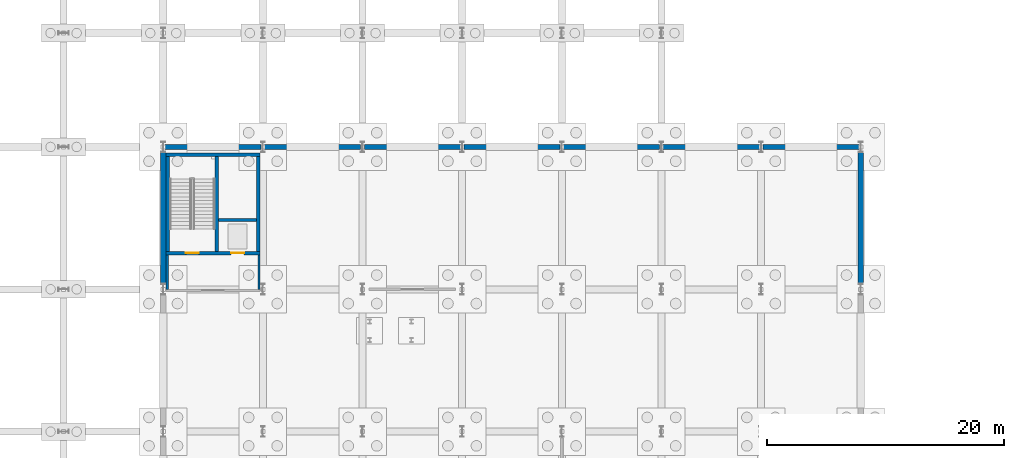
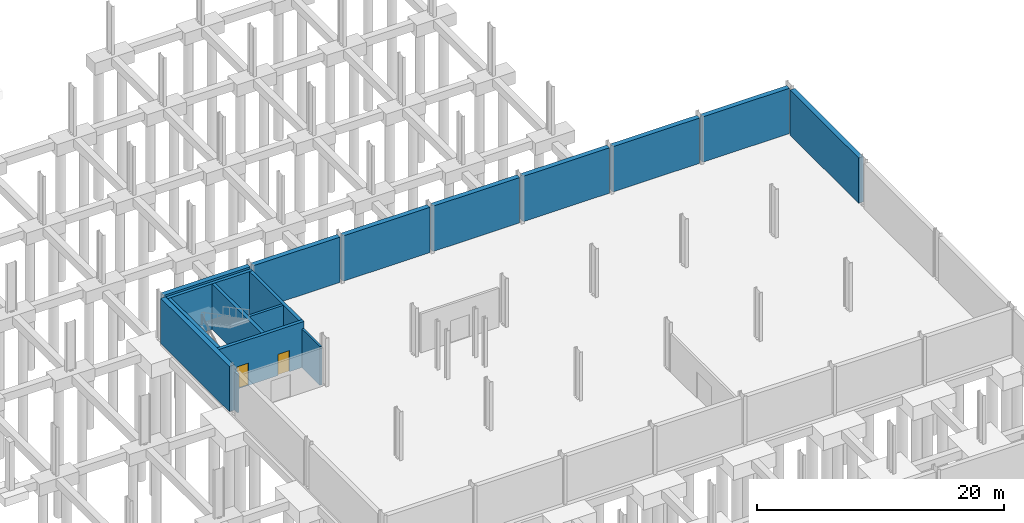
# One storey, part 22 of 29: 17 walls, 2 doors, 2 openings.
"""IFC4 building model written with IfcOpenShell, lengths in metres."""

from ifc_helpers import new_model, si_unit, direction, frame, frame_2d, origin, place, context, subcontext, project, spatial, rectangle, extrude, material, layer, layer_set, type_object, element, fill, save


model = new_model("IFC4")

# Units and contexts
model_context = context("Model", 3, precision=1e-05, world=origin(), true_north=direction((0.0, 1.0)))
body_context = subcontext(model_context, "Body", "Model", "MODEL_VIEW")
ifc_project = project(units=[si_unit("LENGTHUNIT", "METRE"), si_unit("AREAUNIT", "SQUARE_METRE"), si_unit("VOLUMEUNIT", "CUBIC_METRE"), si_unit("PLANEANGLEUNIT", "RADIAN"), si_unit("MASSUNIT", "GRAM", prefix="KILO")], contexts=[model_context])

# Site, building, storey
site_placement = place(None, origin())
site = spatial("IfcSite", under=ifc_project, at=site_placement, CompositionType="ELEMENT")
building_placement = place(site_placement, origin())
building = spatial("IfcBuilding", under=site, at=building_placement, Name="Veltarok Museum of Natural Sciences", CompositionType="ELEMENT")
storey_placement = place(building_placement, frame((0.0, 0.0, -4.800048828125)))
storey = spatial("IfcBuildingStorey", under=building, at=storey_placement, Name="B1", CompositionType="ELEMENT", Elevation=-4.800048828125)

# Walls
ifc_material_1 = material(Name="Concrete C35/45", Category="concrete")
ifc_layer_1 = layer(ifc_material_1, 0.199951171875)
ifc_layer_set_1 = layer_set([ifc_layer_1], Name="Concrete C35/45")
wall_type_1 = type_object("IfcWallType", Name="Firefighting Lobby Compartment Wall 200", PredefinedType="SOLIDWALL", material=ifc_layer_set_1)
for number, where, z_axis, x_axis, name in (
    (1, (40.330078125, 60.0, 0.0), (0.0, 0.0, 1.0), (0.0, 1.0, 0.0), "Firefighting Lobby Wall C3 B1 W"),
    (2, (48.070068359375, 62.89990234375, 0.0), (0.0, 0.0, 1.0), (0.0, -1.0, 0.0), "Firefighting Lobby Wall C3 B1 E"),
):
    element("IfcWall", number, at=place(storey_placement, frame(where, z_axis=z_axis, x_axis=x_axis)), inside=storey, type_object=wall_type_1, Name=name, PredefinedType="SOLIDWALL", context=body_context, shape_type="SweptSolid", body=[
        extrude(rectangle(XDim=2.89990234375, YDim=0.199951171875, at=frame_2d((1.449951171875, 0.0))), origin(), (0.0, 0.0, 1.0), 3.83203125),
    ])
ifc_material_2 = material(Name="Concrete C40/50", Category="concrete")
ifc_layer_2 = layer(ifc_material_2, 0.25)
ifc_layer_set_2 = layer_set([ifc_layer_2], Name="Concrete C40/50")
wall_type_2 = type_object("IfcWallType", Name="Lift Shaft Concrete Shear Wall 250", PredefinedType="SHEAR", material=ifc_layer_set_2)
wall_1_placement = place(storey_placement, frame((44.669921875, 65.824951171875, 0.0), z_axis=(0.0, 0.0, 1.0), x_axis=(1.0, 0.0, 0.0)))
element("IfcWall", 3, at=wall_1_placement, inside=storey, type_object=wall_type_2, Name="Lift Shaft Back Wall C3 B1", PredefinedType="SHEAR", context=body_context, shape_type="SweptSolid", body=[
    extrude(rectangle(XDim=3.2001953125, YDim=0.25, at=frame_2d((1.60009765625, 0.0))), origin(), (0.0, 0.0, 1.0), 4.5),
])

# Wall, openings, doors
ifc_layer_3 = layer(ifc_material_2, 0.300048828125)
ifc_layer_set_3 = layer_set([ifc_layer_3], Name="Concrete C40/50")
wall_type_3 = type_object("IfcWallType", Name="Protected Core Shear Wall 300", PredefinedType="SHEAR", material=ifc_layer_set_3)
wall_2_placement = place(storey_placement, frame((40.22998046875, 63.050048828125, 0.0), z_axis=(0.0, 0.0, 1.0), x_axis=(1.0, 0.0, 0.0)))
wall_2 = element("IfcWall", 4, at=wall_2_placement, inside=storey, type_object=wall_type_3, Name="Core Shear Wall C3 B1 S", PredefinedType="SHEAR", context=body_context, shape_type="SweptSolid", body=[
    extrude(rectangle(XDim=7.93994140625, YDim=0.300048828125, at=frame_2d((3.969970703125, 0.0))), origin(), (0.0, 0.0, 1.0), 4.5),
])
opening_1_placement = place(wall_2_placement, frame((1.669921875, 0.0, 0.0)))
opening_1 = element("IfcOpeningElement", 5, at=opening_1_placement, cuts=wall_2, Name="Opening D-B1-005", PredefinedType="OPENING", context=body_context, shape_type="SweptSolid", body=[
    extrude(rectangle(XDim=1.10009765625, YDim=2.199951171875, at=frame_2d((0.550048828125, 1.10009765625))), frame((0.0, 0.16015625, 0.0), z_axis=(0.0, -1.0, 0.0), x_axis=(1.0, 0.0, 0.0)), (0.0, 0.0, 1.0), 0.320068359375),
])
opening_2_placement = place(wall_2_placement, frame((5.489990234375, 0.0, 0.0)))
opening_2 = element("IfcOpeningElement", 6, at=opening_2_placement, cuts=wall_2, Name="Opening LD-B1-LP-03", PredefinedType="OPENING", context=body_context, shape_type="SweptSolid", body=[
    extrude(rectangle(XDim=1.10009765625, YDim=2.10009765625, at=frame_2d((0.550048828125, 1.050048828125))), frame((0.0, 0.16015625, 0.0), z_axis=(0.0, -1.0, 0.0), x_axis=(1.0, 0.0, 0.0)), (0.0, 0.0, 1.0), 0.320068359375),
])
ifc_material_3 = material(Name="Fire-rated painted steel", Category="steel")
door_type_1 = type_object("IfcDoorType", Name="Fire Core Single Escape Door 1100x2200", OperationType="NOTDEFINED", PredefinedType="DOOR", material=ifc_material_3)
door_1_placement = place(opening_1_placement, origin())
door_1 = element("IfcDoor", 7, at=door_1_placement, inside=storey, type_object=door_type_1, Name="Protected Stair Door ST-03 B1", OperationType="SINGLE_SWING_LEFT", OverallHeight=2.199951171875, OverallWidth=1.10009765625, PredefinedType="DOOR", context=body_context, shape_type="SweptSolid", body=[
    extrude(rectangle(XDim=1.10009765625, YDim=2.199951171875, at=frame_2d((0.550048828125, 1.10009765625))), frame((0.0, 0.02490234375, 0.0), z_axis=(0.0, -1.0, 0.0), x_axis=(1.0, 0.0, 0.0)), (0.0, 0.0, 1.0), 0.050048828125),
])
fill(opening_1, door_1)
ifc_material_4 = material(Name="Brushed stainless steel", Category="steel")
door_type_2 = type_object("IfcDoorType", Name="Passenger and Firefighting Lift Landing Door 1100x2100", OperationType="SLIDING_TO_LEFT", PredefinedType="DOOR", material=ifc_material_4)
door_2_placement = place(opening_2_placement, origin())
door_2 = element("IfcDoor", 8, at=door_2_placement, inside=storey, type_object=door_type_2, Name="Sliding Lift Landing Door LD-B1-LP-03", OperationType="SLIDING_TO_LEFT", OverallHeight=2.10009765625, OverallWidth=1.10009765625, PredefinedType="DOOR", context=body_context, shape_type="SweptSolid", body=[
    extrude(rectangle(XDim=1.10009765625, YDim=2.10009765625, at=frame_2d((0.550048828125, 1.050048828125))), frame((0.0, 0.02490234375, 0.0), z_axis=(0.0, -1.0, 0.0), x_axis=(1.0, 0.0, 0.0)), (0.0, 0.0, 1.0), 0.050048828125),
])
fill(opening_2, door_2)

# Walls
wall_3_placement = place(storey_placement, frame((48.169921875, 71.35009765625, 0.0), z_axis=(0.0, 0.0, 1.0), x_axis=(-1.0, 0.0, 0.0)))
element("IfcWall", 9, at=wall_3_placement, inside=storey, type_object=wall_type_3, Name="Core Shear Wall C3 B1 N", PredefinedType="SHEAR", context=body_context, shape_type="SweptSolid", body=[
    extrude(rectangle(XDim=7.93994140625, YDim=0.300048828125, at=frame_2d((3.969970703125, 0.0))), origin(), (0.0, 0.0, 1.0), 4.5),
])
for number, where, z_axis, x_axis, name in (
    (10, (40.3798828125, 71.199951171875, 0.0), (0.0, 0.0, 1.0), (0.0, -1.0, 0.0), "Core Shear Wall C3 B1 W"),
    (11, (48.02001953125, 63.199951171875, 0.0), (0.0, 0.0, 1.0), (0.0, 1.0, 0.0), "Core Shear Wall C3 B1 E"),
    (12, (44.52001953125, 63.199951171875, 0.0), (0.0, 0.0, 1.0), (0.0, 1.0, 0.0), "Core Shear Wall C3 B1 DIV"),
):
    element("IfcWall", number, at=place(storey_placement, frame(where, z_axis=z_axis, x_axis=x_axis)), inside=storey, type_object=wall_type_3, Name=name, PredefinedType="SHEAR", context=body_context, shape_type="SweptSolid", body=[
        extrude(rectangle(XDim=8.0, YDim=0.300048828125, at=frame_2d((4.0, 0.0))), origin(), (0.0, 0.0, 1.0), 4.5),
    ])
ifc_layer_4 = layer(ifc_material_1, 0.449951171875)
ifc_layer_set_4 = layer_set([ifc_layer_4], Name="Concrete C35/45")
wall_type_4 = type_object("IfcWallType", Name="Tanked Basement Retaining Wall 450", PredefinedType="USERDEFINED", material=ifc_layer_set_4)
wall_4_placement = place(storey_placement, frame((40.14990234375, 72.0, 0.0), z_axis=(0.0, 0.0, 1.0), x_axis=(1.0, 0.0, 0.0)))
element("IfcWall", 13, at=wall_4_placement, inside=storey, type_object=wall_type_4, Name="Basement Retaining Wall B1-048", ObjectType="RETAININGWALL", PredefinedType="USERDEFINED", context=body_context, shape_type="SweptSolid", body=[
    extrude(rectangle(XDim=8.10009765625, YDim=0.449951171875, at=frame_2d((4.050048828125, 0.0))), origin(), (0.0, 0.0, 1.0), 4.47998046875),
])
wall_5_placement = place(storey_placement, frame((48.550048828125, 72.0, 0.0), z_axis=(0.0, 0.0, 1.0), x_axis=(1.0, 0.0, 0.0)))
element("IfcWall", 14, at=wall_5_placement, inside=storey, type_object=wall_type_4, Name="Basement Retaining Wall B1-049", ObjectType="RETAININGWALL", PredefinedType="USERDEFINED", context=body_context, shape_type="SweptSolid", body=[
    extrude(rectangle(XDim=8.099853515625, YDim=0.449951171875, at=frame_2d((4.0498046875, 0.0))), origin(), (0.0, 0.0, 1.0), 4.47998046875),
])
wall_6_placement = place(storey_placement, frame((56.949951171875, 72.0, 0.0), z_axis=(0.0, 0.0, 1.0), x_axis=(1.0, 0.0, 0.0)))
element("IfcWall", 15, at=wall_6_placement, inside=storey, type_object=wall_type_4, Name="Basement Retaining Wall B1-050", ObjectType="RETAININGWALL", PredefinedType="USERDEFINED", context=body_context, shape_type="SweptSolid", body=[
    extrude(rectangle(XDim=8.10009765625, YDim=0.449951171875, at=frame_2d((4.050048828125, 0.0))), origin(), (0.0, 0.0, 1.0), 4.47998046875),
])
wall_7_placement = place(storey_placement, frame((65.35009765625, 72.0, 0.0), z_axis=(0.0, 0.0, 1.0), x_axis=(1.0, 0.0, 0.0)))
element("IfcWall", 16, at=wall_7_placement, inside=storey, type_object=wall_type_4, Name="Basement Retaining Wall B1-051", ObjectType="RETAININGWALL", PredefinedType="USERDEFINED", context=body_context, shape_type="SweptSolid", body=[
    extrude(rectangle(XDim=8.099853515625, YDim=0.449951171875, at=frame_2d((4.0498046875, 0.0))), origin(), (0.0, 0.0, 1.0), 4.47998046875),
])
for number, where, z_axis, x_axis, name in (
    (17, (73.75, 72.0, 0.0), (0.0, 0.0, 1.0), (1.0, 0.0, 0.0), "Basement Retaining Wall B1-052"),
    (18, (82.14990234375, 72.0, 0.0), (0.0, 0.0, 1.0), (1.0, 0.0, 0.0), "Basement Retaining Wall B1-053"),
):
    element("IfcWall", number, at=place(storey_placement, frame(where, z_axis=z_axis, x_axis=x_axis)), inside=storey, type_object=wall_type_4, Name=name, ObjectType="RETAININGWALL", PredefinedType="USERDEFINED", context=body_context, shape_type="SweptSolid", body=[
        extrude(rectangle(XDim=8.10009765625, YDim=0.449951171875, at=frame_2d((4.050048828125, 0.0))), origin(), (0.0, 0.0, 1.0), 4.47998046875),
    ])
wall_8_placement = place(storey_placement, frame((90.550048828125, 72.0, 0.0), z_axis=(0.0, 0.0, 1.0), x_axis=(1.0, 0.0, 0.0)))
element("IfcWall", 19, at=wall_8_placement, inside=storey, type_object=wall_type_4, Name="Basement Retaining Wall B1-054", ObjectType="RETAININGWALL", PredefinedType="USERDEFINED", context=body_context, shape_type="SweptSolid", body=[
    extrude(rectangle(XDim=8.099853515625, YDim=0.449951171875, at=frame_2d((4.0498046875, 0.0))), origin(), (0.0, 0.0, 1.0), 4.47998046875),
])
for number, where, z_axis, x_axis, name in (
    (20, (98.800048828125, 71.550048828125, 0.0), (0.0, 0.0, 1.0), (0.0, -1.0, 0.0), "Basement Retaining Wall B1-055"),
    (21, (40.0, 60.449951171875, 0.0), (0.0, 0.0, 1.0), (0.0, 1.0, 0.0), "Basement Retaining Wall B1-067"),
):
    element("IfcWall", number, at=place(storey_placement, frame(where, z_axis=z_axis, x_axis=x_axis)), inside=storey, type_object=wall_type_4, Name=name, ObjectType="RETAININGWALL", PredefinedType="USERDEFINED", context=body_context, shape_type="SweptSolid", body=[
        extrude(rectangle(XDim=11.10009765625, YDim=0.449951171875, at=frame_2d((5.550048828125, 0.0))), origin(), (0.0, 0.0, 1.0), 4.47998046875),
    ])

save(model, "model.ifc")
